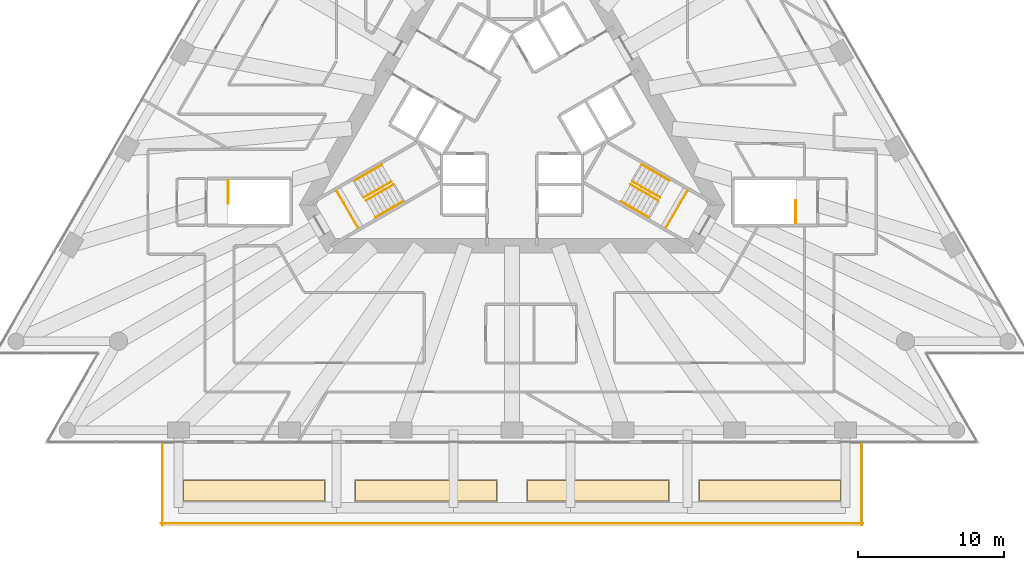
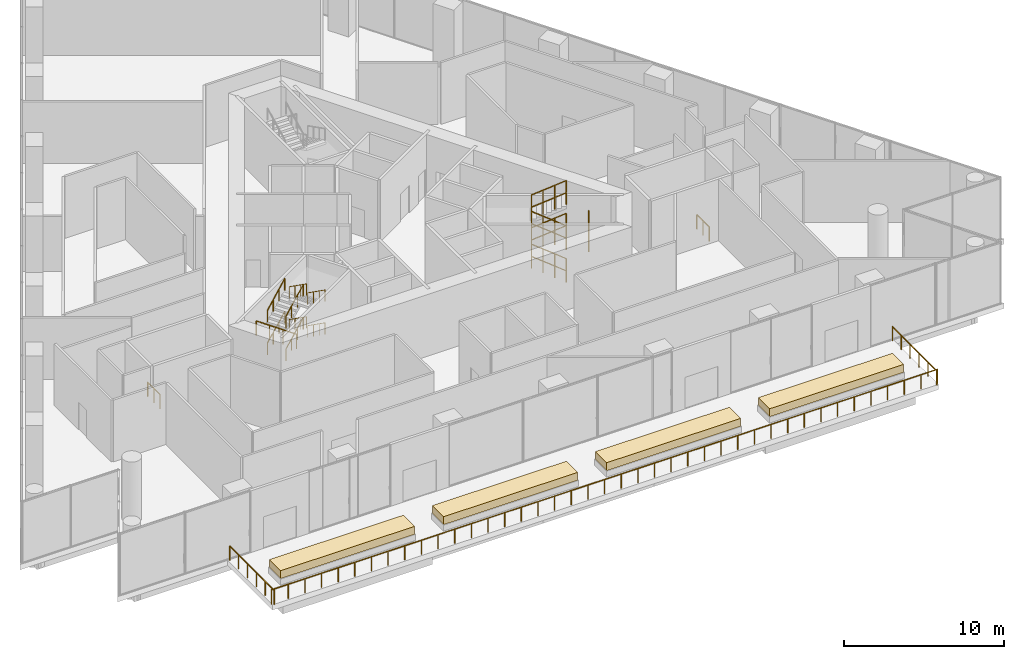
# One storey, part 27 of 28: 23 railings, 4 coverings, 2 elements without a shape of their own.
"""IFC4 building model written with IfcOpenShell, lengths in metres."""

from ifc_helpers import new_model, si_unit, direction, frame, origin, origin_2d, place, context, subcontext, project, spatial, polyline, circle, outline, extrude, material, layer, layer_set, type_object, element, aggregate, save


model = new_model("IFC4")

# Units and contexts
model_context = context("Model", 3, precision=1e-05, world=origin(), true_north=direction((0.0, 1.0)))
body_context = subcontext(model_context, "Body", "Model", "MODEL_VIEW")
ifc_project = project(units=[si_unit("LENGTHUNIT", "METRE"), si_unit("AREAUNIT", "SQUARE_METRE"), si_unit("VOLUMEUNIT", "CUBIC_METRE"), si_unit("PLANEANGLEUNIT", "RADIAN"), si_unit("MASSUNIT", "GRAM", prefix="KILO")], contexts=[model_context])

# Site, building, storey
site_placement = place(None, origin())
site = spatial("IfcSite", under=ifc_project, at=site_placement, CompositionType="ELEMENT")
building_placement = place(site_placement, origin())
building = spatial("IfcBuilding", under=site, at=building_placement, Name="Triada Interchange Tower", CompositionType="ELEMENT")
storey_placement = place(building_placement, frame((0.0, 0.0, 30.300048828125)))
storey = spatial("IfcBuildingStorey", under=building, at=storey_placement, Name="L05", CompositionType="ELEMENT", Elevation=30.300048828125)

# Coverings
ifc_material_1 = material(Name="Planting soil")
ifc_layer = layer(ifc_material_1, 0.60009765625)
ifc_layer_set = layer_set([ifc_layer], Name="Planting bed 600")
covering_type = type_object("IfcCoveringType", Name="Planting bed 600", PredefinedType="FLOORING", material=ifc_layer_set)
covering_1_placement = place(storey_placement, frame((0.0, 0.0, 0.449951171875)))
element("IfcCovering", 1, at=covering_1_placement, inside=storey, type_object=covering_type, Name="Planting bed PLANTER L05 20", PredefinedType="FLOORING", context=body_context, shape_type="SweptSolid", body=[
    extrude(outline(polyline([(-22.449951171875, -26.429931640625), (-12.800048828125, -26.429931640625), (-12.800048828125, -25.030029296875), (-22.449951171875, -25.030029296875), (-22.449951171875, -26.429931640625)])), origin(), (0.0, 0.0, 1.0), 0.60009765625),
])
covering_2_placement = place(storey_placement, frame((0.0, 0.0, 0.449951171875)))
element("IfcCovering", 2, at=covering_2_placement, inside=storey, type_object=covering_type, Name="Planting bed PLANTER L05 21", PredefinedType="FLOORING", context=body_context, shape_type="SweptSolid", body=[
    extrude(outline(polyline([(-10.699951171875, -26.429931640625), (-1.050048828125, -26.429931640625), (-1.050048828125, -25.030029296875), (-10.699951171875, -25.030029296875), (-10.699951171875, -26.429931640625)])), origin(), (0.0, 0.0, 1.0), 0.60009765625),
])
covering_3_placement = place(storey_placement, frame((0.0, 0.0, 0.449951171875)))
element("IfcCovering", 3, at=covering_3_placement, inside=storey, type_object=covering_type, Name="Planting bed PLANTER L05 22", PredefinedType="FLOORING", context=body_context, shape_type="SweptSolid", body=[
    extrude(outline(polyline([(1.050048828125, -26.429931640625), (10.699951171875, -26.429931640625), (10.699951171875, -25.030029296875), (1.050048828125, -25.030029296875), (1.050048828125, -26.429931640625)])), origin(), (0.0, 0.0, 1.0), 0.60009765625),
])
covering_4_placement = place(storey_placement, frame((0.0, 0.0, 0.449951171875)))
element("IfcCovering", 4, at=covering_4_placement, inside=storey, type_object=covering_type, Name="Planting bed PLANTER L05 23", PredefinedType="FLOORING", context=body_context, shape_type="SweptSolid", body=[
    extrude(outline(polyline([(12.800048828125, -26.429931640625), (22.449951171875, -26.429931640625), (22.449951171875, -25.030029296875), (12.800048828125, -25.030029296875), (12.800048828125, -26.429931640625)])), origin(), (0.0, 0.0, 1.0), 0.60009765625),
])

# Stair, railing
ifc_material_2 = material(Name="Concrete C35/45", Category="concrete")
stair_type = type_object("IfcStairType", Name="HALF TURN STAIR 1400", PredefinedType="HALF_TURN_STAIR", material=ifc_material_2)
stair_1_placement = place(storey_placement, origin())
stair_1 = element("IfcStair", 5, at=stair_1_placement, inside=storey, type_object=stair_type, Name="Exit stair S05-2", PredefinedType="HALF_TURN_STAIR")
ifc_material_3 = material(Name="Stainless steel 1.4301", Category="steel")
railing_type_1 = type_object("IfcRailingType", Name="STAIR GUARD 1100", PredefinedType="GUARDRAIL", material=ifc_material_3)
railing_1_placement = place(storey_placement, frame((-11.98291015625, -5.243896484375, 2.5)))
railing_1 = element("IfcRailing", 6, at=railing_1_placement, type_object=railing_type_1, Name="Guard S05-2 1", PredefinedType="GUARDRAIL", context=body_context, shape_type="SweptSolid", body=[
    extrude(circle(Radius=0.02392578125, at=origin_2d()), frame((0.0, 0.0, 1.076171875), z_axis=(0.499877891294, -0.866095891802, 0.0), x_axis=(0.866095891802, 0.499877891294, 0.0)), (0.0, 0.0, 1.0), 2.900634765625),
    extrude(circle(Radius=0.02099609375, at=origin_2d()), origin(), (0.0, 0.0, 1.0), 1.052001953125),
    extrude(circle(Radius=0.02099609375, at=origin_2d()), frame((0.4833984375, -0.83740234375, 0.0)), (0.0, 0.0, 1.0), 1.052001953125),
    extrude(circle(Radius=0.02099609375, at=origin_2d()), frame((0.966552734375, -1.6748046875, 0.0)), (0.0, 0.0, 1.0), 1.052001953125),
    extrude(circle(Radius=0.02099609375, at=origin_2d()), frame((1.449951171875, -2.51220703125, 0.0)), (0.0, 0.0, 1.0), 1.052001953125),
])

stair_2_placement = place(storey_placement, origin())
stair_2 = element("IfcStair", 7, at=stair_2_placement, inside=storey, type_object=stair_type, Name="Exit stair S05-3", PredefinedType="HALF_TURN_STAIR")
railing_2_placement = place(storey_placement, frame((10.532958984375, -7.756103515625, 2.5)))
railing_2 = element("IfcRailing", 8, at=railing_2_placement, type_object=railing_type_1, Name="Guard S05-3 1", PredefinedType="GUARDRAIL", context=body_context, shape_type="SweptSolid", body=[
    extrude(circle(Radius=0.02392578125, at=origin_2d()), frame((0.0, 0.0, 1.076171875), z_axis=(0.499877891294, 0.866095891802, 0.0), x_axis=(-0.866095891802, 0.499877891294, 0.0)), (0.0, 0.0, 1.0), 2.900634765625),
    extrude(circle(Radius=0.02099609375, at=origin_2d()), origin(), (0.0, 0.0, 1.0), 1.052001953125),
    extrude(circle(Radius=0.02099609375, at=origin_2d()), frame((0.4833984375, 0.83740234375, 0.0)), (0.0, 0.0, 1.0), 1.052001953125),
    extrude(circle(Radius=0.02099609375, at=origin_2d()), frame((0.966552734375, 1.6748046875, 0.0)), (0.0, 0.0, 1.0), 1.052001953125),
    extrude(circle(Radius=0.02099609375, at=origin_2d()), frame((1.449951171875, 2.51220703125, 0.0)), (0.0, 0.0, 1.0), 1.052001953125),
])

# Railings
railing_3_placement = place(storey_placement, frame((-19.39990234375, -4.550048828125, 0.0)))
element("IfcRailing", 9, at=railing_3_placement, inside=storey, type_object=railing_type_1, Name="Guard well PX3 L05", PredefinedType="GUARDRAIL", context=body_context, shape_type="SweptSolid", body=[
    extrude(circle(Radius=0.02392578125, at=origin_2d()), frame((0.0, 0.0, 1.076171875), z_axis=(0.0, -1.0, 0.0), x_axis=(1.0, 0.0, 0.0)), (0.0, 0.0, 1.0), 1.550048828125),
    extrude(circle(Radius=0.02099609375, at=origin_2d()), origin(), (0.0, 0.0, 1.0), 1.052001953125),
    extrude(circle(Radius=0.02099609375, at=origin_2d()), frame((0.0, -0.77490234375, 0.0)), (0.0, 0.0, 1.0), 1.052001953125),
    extrude(circle(Radius=0.02099609375, at=origin_2d()), frame((0.0, -1.550048828125, 0.0)), (0.0, 0.0, 1.0), 1.052001953125),
])
railing_4_placement = place(storey_placement, frame((19.39990234375, -7.449951171875, 0.0)))
element("IfcRailing", 10, at=railing_4_placement, inside=storey, type_object=railing_type_1, Name="Guard well PX4 L05", PredefinedType="GUARDRAIL", context=body_context, shape_type="SweptSolid", body=[
    extrude(circle(Radius=0.02392578125, at=origin_2d()), frame((0.0, 0.0, 1.076171875), z_axis=(0.0, 1.0, 0.0), x_axis=(-1.0, 0.0, 0.0)), (0.0, 0.0, 1.0), 1.550048828125),
    extrude(circle(Radius=0.02099609375, at=origin_2d()), origin(), (0.0, 0.0, 1.0), 1.052001953125),
    extrude(circle(Radius=0.02099609375, at=origin_2d()), frame((0.0, 0.77490234375, 0.0)), (0.0, 0.0, 1.0), 1.052001953125),
    extrude(circle(Radius=0.02099609375, at=origin_2d()), frame((0.0, 1.550048828125, 0.0)), (0.0, 0.0, 1.0), 1.052001953125),
])

# Railing
railing_type_2 = type_object("IfcRailingType", Name="STAIR HANDRAIL 900", PredefinedType="HANDRAIL", material=ifc_material_3)
railing_5_placement = place(storey_placement, frame((-10.77099609375, -4.5439453125, 0.15625)))
railing_5 = element("IfcRailing", 11, at=railing_5_placement, type_object=railing_type_2, Name="Handrail S05-2 1W", PredefinedType="HANDRAIL", context=body_context, shape_type="SweptSolid", body=[
    extrude(circle(Radius=0.02392578125, at=origin_2d()), frame((0.0, 0.0, 0.8759765625), z_axis=(0.773289848554, 0.446530676582, 0.450147936788), x_axis=(-0.500060114735, 0.865990693744, 0.0)), (0.0, 0.0, 1.0), 2.4296875),
    extrude(circle(Radius=0.02099609375, at=origin_2d()), origin(), (0.0, 0.0, 1.0), 0.851806640625),
    extrude(circle(Radius=0.02099609375, at=origin_2d()), frame((0.626220703125, 0.361572265625, 0.364501953125)), (0.0, 0.0, 1.0), 0.851806640625),
    extrude(circle(Radius=0.02099609375, at=origin_2d()), frame((1.252685546875, 0.723388671875, 0.729248046875)), (0.0, 0.0, 1.0), 0.851806640625),
    extrude(circle(Radius=0.02099609375, at=origin_2d()), frame((1.87890625, 1.0849609375, 1.09375)), (0.0, 0.0, 1.0), 0.851806640625),
])

railing_6_placement = place(storey_placement, frame((-10.10595703125, -5.696044921875, 0.15625)))
railing_6 = element("IfcRailing", 12, at=railing_6_placement, type_object=railing_type_2, Name="Handrail S05-2 1C", PredefinedType="HANDRAIL", context=body_context, shape_type="SweptSolid", body=[
    extrude(circle(Radius=0.02392578125, at=origin_2d()), frame((0.0, 0.0, 0.8759765625), z_axis=(0.773289848554, 0.446530676582, 0.450147936788), x_axis=(-0.500060114735, 0.865990693744, 0.0)), (0.0, 0.0, 1.0), 2.4296875),
    extrude(circle(Radius=0.02099609375, at=origin_2d()), origin(), (0.0, 0.0, 1.0), 0.851806640625),
    extrude(circle(Radius=0.02099609375, at=origin_2d()), frame((0.626220703125, 0.361572265625, 0.364501953125)), (0.0, 0.0, 1.0), 0.851806640625),
    extrude(circle(Radius=0.02099609375, at=origin_2d()), frame((1.252685546875, 0.723388671875, 0.729248046875)), (0.0, 0.0, 1.0), 0.851806640625),
    extrude(circle(Radius=0.02099609375, at=origin_2d()), frame((1.87890625, 1.0849609375, 1.09375)), (0.0, 0.0, 1.0), 0.851806640625),
])

railing_7_placement = place(storey_placement, frame((-7.44189453125, -5.970947265625, 1.40625)))
railing_7 = element("IfcRailing", 13, at=railing_7_placement, type_object=railing_type_2, Name="Handrail S05-2 2W", PredefinedType="HANDRAIL", context=body_context, shape_type="SweptSolid", body=[
    extrude(circle(Radius=0.02392578125, at=origin_2d()), frame((0.0, 0.0, 0.8759765625), z_axis=(-0.773330238877, -0.446495983055, 0.450112962215), x_axis=(0.500011390128, -0.866018827591, 0.0)), (0.0, 0.0, 1.0), 2.429931640625),
    extrude(circle(Radius=0.02099609375, at=origin_2d()), origin(), (0.0, 0.0, 1.0), 0.851806640625),
    extrude(circle(Radius=0.02099609375, at=origin_2d()), frame((-0.62646484375, -0.361572265625, 0.364501953125)), (0.0, 0.0, 1.0), 0.851806640625),
    extrude(circle(Radius=0.02099609375, at=origin_2d()), frame((-1.252685546875, -0.723388671875, 0.729248046875)), (0.0, 0.0, 1.0), 0.851806640625),
    extrude(circle(Radius=0.02099609375, at=origin_2d()), frame((-1.879150390625, -1.0849609375, 1.09375)), (0.0, 0.0, 1.0), 0.851806640625),
])

railing_8_placement = place(storey_placement, frame((-8.10693359375, -4.819091796875, 1.40625)))
railing_8 = element("IfcRailing", 14, at=railing_8_placement, type_object=railing_type_2, Name="Handrail S05-2 2C", PredefinedType="HANDRAIL", context=body_context, shape_type="SweptSolid", body=[
    extrude(circle(Radius=0.02392578125, at=origin_2d()), frame((0.0, 0.0, 0.8759765625), z_axis=(-0.773330238877, -0.446495983055, 0.450112962215), x_axis=(0.500011390128, -0.866018827591, 0.0)), (0.0, 0.0, 1.0), 2.429931640625),
    extrude(circle(Radius=0.02099609375, at=origin_2d()), origin(), (0.0, 0.0, 1.0), 0.851806640625),
    extrude(circle(Radius=0.02099609375, at=origin_2d()), frame((-0.62646484375, -0.361572265625, 0.364501953125)), (0.0, 0.0, 1.0), 0.851806640625),
    extrude(circle(Radius=0.02099609375, at=origin_2d()), frame((-1.252685546875, -0.723388671875, 0.729248046875)), (0.0, 0.0, 1.0), 0.851806640625),
    extrude(circle(Radius=0.02099609375, at=origin_2d()), frame((-1.879150390625, -1.0849609375, 1.09375)), (0.0, 0.0, 1.0), 0.851806640625),
])

railing_9_placement = place(storey_placement, frame((-10.77099609375, -4.5439453125, 2.65625)))
railing_9 = element("IfcRailing", 15, at=railing_9_placement, type_object=railing_type_2, Name="Handrail S05-2 3W", PredefinedType="HANDRAIL", context=body_context, shape_type="SweptSolid", body=[
    extrude(circle(Radius=0.02392578125, at=origin_2d()), frame((0.0, 0.0, 0.8759765625), z_axis=(0.773289848554, 0.446530676582, 0.450147936788), x_axis=(-0.500060114735, 0.865990693744, 0.0)), (0.0, 0.0, 1.0), 2.4296875),
    extrude(circle(Radius=0.02099609375, at=origin_2d()), origin(), (0.0, 0.0, 1.0), 0.851806640625),
    extrude(circle(Radius=0.02099609375, at=origin_2d()), frame((0.626220703125, 0.361572265625, 0.364501953125)), (0.0, 0.0, 1.0), 0.851806640625),
    extrude(circle(Radius=0.02099609375, at=origin_2d()), frame((1.252685546875, 0.723388671875, 0.729248046875)), (0.0, 0.0, 1.0), 0.851806640625),
    extrude(circle(Radius=0.02099609375, at=origin_2d()), frame((1.87890625, 1.0849609375, 1.09375)), (0.0, 0.0, 1.0), 0.851806640625),
])

railing_10_placement = place(storey_placement, frame((-10.10595703125, -5.696044921875, 2.65625)))
railing_10 = element("IfcRailing", 16, at=railing_10_placement, type_object=railing_type_2, Name="Handrail S05-2 3C", PredefinedType="HANDRAIL", context=body_context, shape_type="SweptSolid", body=[
    extrude(circle(Radius=0.02392578125, at=origin_2d()), frame((0.0, 0.0, 0.8759765625), z_axis=(0.773289848554, 0.446530676582, 0.450147936788), x_axis=(-0.500060114735, 0.865990693744, 0.0)), (0.0, 0.0, 1.0), 2.4296875),
    extrude(circle(Radius=0.02099609375, at=origin_2d()), origin(), (0.0, 0.0, 1.0), 0.851806640625),
    extrude(circle(Radius=0.02099609375, at=origin_2d()), frame((0.626220703125, 0.361572265625, 0.364501953125)), (0.0, 0.0, 1.0), 0.851806640625),
    extrude(circle(Radius=0.02099609375, at=origin_2d()), frame((1.252685546875, 0.723388671875, 0.729248046875)), (0.0, 0.0, 1.0), 0.851806640625),
    extrude(circle(Radius=0.02099609375, at=origin_2d()), frame((1.87890625, 1.0849609375, 1.09375)), (0.0, 0.0, 1.0), 0.851806640625),
])

railing_11_placement = place(storey_placement, frame((-7.44189453125, -5.970947265625, 3.90625)))
railing_11 = element("IfcRailing", 17, at=railing_11_placement, type_object=railing_type_2, Name="Handrail S05-2 4W", PredefinedType="HANDRAIL", context=body_context, shape_type="SweptSolid", body=[
    extrude(circle(Radius=0.02392578125, at=origin_2d()), frame((0.0, 0.0, 0.8759765625), z_axis=(-0.773330238877, -0.446495983055, 0.450112962215), x_axis=(0.500011390128, -0.866018827591, 0.0)), (0.0, 0.0, 1.0), 2.429931640625),
    extrude(circle(Radius=0.02099609375, at=origin_2d()), origin(), (0.0, 0.0, 1.0), 0.851806640625),
    extrude(circle(Radius=0.02099609375, at=origin_2d()), frame((-0.62646484375, -0.361572265625, 0.364501953125)), (0.0, 0.0, 1.0), 0.851806640625),
    extrude(circle(Radius=0.02099609375, at=origin_2d()), frame((-1.252685546875, -0.723388671875, 0.729248046875)), (0.0, 0.0, 1.0), 0.851806640625),
    extrude(circle(Radius=0.02099609375, at=origin_2d()), frame((-1.879150390625, -1.0849609375, 1.09375)), (0.0, 0.0, 1.0), 0.851806640625),
])

railing_12_placement = place(storey_placement, frame((-8.10693359375, -4.819091796875, 3.90625)))
railing_12 = element("IfcRailing", 18, at=railing_12_placement, type_object=railing_type_2, Name="Handrail S05-2 4C", PredefinedType="HANDRAIL", context=body_context, shape_type="SweptSolid", body=[
    extrude(circle(Radius=0.02392578125, at=origin_2d()), frame((0.0, 0.0, 0.8759765625), z_axis=(-0.773330238877, -0.446495983055, 0.450112962215), x_axis=(0.500011390128, -0.866018827591, 0.0)), (0.0, 0.0, 1.0), 2.429931640625),
    extrude(circle(Radius=0.02099609375, at=origin_2d()), origin(), (0.0, 0.0, 1.0), 0.851806640625),
    extrude(circle(Radius=0.02099609375, at=origin_2d()), frame((-0.62646484375, -0.361572265625, 0.364501953125)), (0.0, 0.0, 1.0), 0.851806640625),
    extrude(circle(Radius=0.02099609375, at=origin_2d()), frame((-1.252685546875, -0.723388671875, 0.729248046875)), (0.0, 0.0, 1.0), 0.851806640625),
    extrude(circle(Radius=0.02099609375, at=origin_2d()), frame((-1.879150390625, -1.0849609375, 1.09375)), (0.0, 0.0, 1.0), 0.851806640625),
])

aggregate(stair_1, [railing_5, railing_6, railing_7, railing_8, railing_9, railing_10, railing_11, railing_12, railing_1])

railing_13_placement = place(storey_placement, frame((9.321044921875, -7.055908203125, 0.15625)))
railing_13 = element("IfcRailing", 19, at=railing_13_placement, type_object=railing_type_2, Name="Handrail S05-3 1W", PredefinedType="HANDRAIL", context=body_context, shape_type="SweptSolid", body=[
    extrude(circle(Radius=0.02392578125, at=origin_2d()), frame((0.0, 0.0, 0.8759765625), z_axis=(-0.773330238877, 0.446495983055, 0.450112962215), x_axis=(-0.500011390128, -0.866018827591, 0.0)), (0.0, 0.0, 1.0), 2.429931640625),
    extrude(circle(Radius=0.02099609375, at=origin_2d()), origin(), (0.0, 0.0, 1.0), 0.851806640625),
    extrude(circle(Radius=0.02099609375, at=origin_2d()), frame((-0.62646484375, 0.361572265625, 0.364501953125)), (0.0, 0.0, 1.0), 0.851806640625),
    extrude(circle(Radius=0.02099609375, at=origin_2d()), frame((-1.252685546875, 0.723388671875, 0.729248046875)), (0.0, 0.0, 1.0), 0.851806640625),
    extrude(circle(Radius=0.02099609375, at=origin_2d()), frame((-1.879150390625, 1.0849609375, 1.09375)), (0.0, 0.0, 1.0), 0.851806640625),
])

railing_14_placement = place(storey_placement, frame((9.986083984375, -5.904052734375, 0.15625)))
railing_14 = element("IfcRailing", 20, at=railing_14_placement, type_object=railing_type_2, Name="Handrail S05-3 1C", PredefinedType="HANDRAIL", context=body_context, shape_type="SweptSolid", body=[
    extrude(circle(Radius=0.02392578125, at=origin_2d()), frame((0.0, 0.0, 0.8759765625), z_axis=(-0.773330238877, 0.446495983055, 0.450112962215), x_axis=(-0.500011390128, -0.866018827591, 0.0)), (0.0, 0.0, 1.0), 2.429931640625),
    extrude(circle(Radius=0.02099609375, at=origin_2d()), origin(), (0.0, 0.0, 1.0), 0.851806640625),
    extrude(circle(Radius=0.02099609375, at=origin_2d()), frame((-0.62646484375, 0.361572265625, 0.364501953125)), (0.0, 0.0, 1.0), 0.851806640625),
    extrude(circle(Radius=0.02099609375, at=origin_2d()), frame((-1.252685546875, 0.723388671875, 0.729248046875)), (0.0, 0.0, 1.0), 0.851806640625),
    extrude(circle(Radius=0.02099609375, at=origin_2d()), frame((-1.879150390625, 1.0849609375, 1.09375)), (0.0, 0.0, 1.0), 0.851806640625),
])

railing_15_placement = place(storey_placement, frame((8.89208984375, -3.458984375, 1.40625)))
railing_15 = element("IfcRailing", 21, at=railing_15_placement, type_object=railing_type_2, Name="Handrail S05-3 2W", PredefinedType="HANDRAIL", context=body_context, shape_type="SweptSolid", body=[
    extrude(circle(Radius=0.02392578125, at=origin_2d()), frame((0.0, 0.0, 0.8759765625), z_axis=(0.773289848554, -0.446530676582, 0.450147936788), x_axis=(0.500060114735, 0.865990693744, 0.0)), (0.0, 0.0, 1.0), 2.4296875),
    extrude(circle(Radius=0.02099609375, at=origin_2d()), origin(), (0.0, 0.0, 1.0), 0.851806640625),
    extrude(circle(Radius=0.02099609375, at=origin_2d()), frame((0.626220703125, -0.361572265625, 0.364501953125)), (0.0, 0.0, 1.0), 0.851806640625),
    extrude(circle(Radius=0.02099609375, at=origin_2d()), frame((1.252685546875, -0.723388671875, 0.729248046875)), (0.0, 0.0, 1.0), 0.851806640625),
    extrude(circle(Radius=0.02099609375, at=origin_2d()), frame((1.87890625, -1.0849609375, 1.09375)), (0.0, 0.0, 1.0), 0.851806640625),
])

railing_16_placement = place(storey_placement, frame((8.22705078125, -4.611083984375, 1.40625)))
railing_16 = element("IfcRailing", 22, at=railing_16_placement, type_object=railing_type_2, Name="Handrail S05-3 2C", PredefinedType="HANDRAIL", context=body_context, shape_type="SweptSolid", body=[
    extrude(circle(Radius=0.02392578125, at=origin_2d()), frame((0.0, 0.0, 0.8759765625), z_axis=(0.773289848554, -0.446530676582, 0.450147936788), x_axis=(0.500060114735, 0.865990693744, 0.0)), (0.0, 0.0, 1.0), 2.4296875),
    extrude(circle(Radius=0.02099609375, at=origin_2d()), origin(), (0.0, 0.0, 1.0), 0.851806640625),
    extrude(circle(Radius=0.02099609375, at=origin_2d()), frame((0.626220703125, -0.361572265625, 0.364501953125)), (0.0, 0.0, 1.0), 0.851806640625),
    extrude(circle(Radius=0.02099609375, at=origin_2d()), frame((1.252685546875, -0.723388671875, 0.729248046875)), (0.0, 0.0, 1.0), 0.851806640625),
    extrude(circle(Radius=0.02099609375, at=origin_2d()), frame((1.87890625, -1.0849609375, 1.09375)), (0.0, 0.0, 1.0), 0.851806640625),
])

railing_17_placement = place(storey_placement, frame((9.321044921875, -7.055908203125, 2.65625)))
railing_17 = element("IfcRailing", 23, at=railing_17_placement, type_object=railing_type_2, Name="Handrail S05-3 3W", PredefinedType="HANDRAIL", context=body_context, shape_type="SweptSolid", body=[
    extrude(circle(Radius=0.02392578125, at=origin_2d()), frame((0.0, 0.0, 0.8759765625), z_axis=(-0.773330238877, 0.446495983055, 0.450112962215), x_axis=(-0.500011390128, -0.866018827591, 0.0)), (0.0, 0.0, 1.0), 2.429931640625),
    extrude(circle(Radius=0.02099609375, at=origin_2d()), origin(), (0.0, 0.0, 1.0), 0.851806640625),
    extrude(circle(Radius=0.02099609375, at=origin_2d()), frame((-0.62646484375, 0.361572265625, 0.364501953125)), (0.0, 0.0, 1.0), 0.851806640625),
    extrude(circle(Radius=0.02099609375, at=origin_2d()), frame((-1.252685546875, 0.723388671875, 0.729248046875)), (0.0, 0.0, 1.0), 0.851806640625),
    extrude(circle(Radius=0.02099609375, at=origin_2d()), frame((-1.879150390625, 1.0849609375, 1.09375)), (0.0, 0.0, 1.0), 0.851806640625),
])

railing_18_placement = place(storey_placement, frame((9.986083984375, -5.904052734375, 2.65625)))
railing_18 = element("IfcRailing", 24, at=railing_18_placement, type_object=railing_type_2, Name="Handrail S05-3 3C", PredefinedType="HANDRAIL", context=body_context, shape_type="SweptSolid", body=[
    extrude(circle(Radius=0.02392578125, at=origin_2d()), frame((0.0, 0.0, 0.8759765625), z_axis=(-0.773330238877, 0.446495983055, 0.450112962215), x_axis=(-0.500011390128, -0.866018827591, 0.0)), (0.0, 0.0, 1.0), 2.429931640625),
    extrude(circle(Radius=0.02099609375, at=origin_2d()), origin(), (0.0, 0.0, 1.0), 0.851806640625),
    extrude(circle(Radius=0.02099609375, at=origin_2d()), frame((-0.62646484375, 0.361572265625, 0.364501953125)), (0.0, 0.0, 1.0), 0.851806640625),
    extrude(circle(Radius=0.02099609375, at=origin_2d()), frame((-1.252685546875, 0.723388671875, 0.729248046875)), (0.0, 0.0, 1.0), 0.851806640625),
    extrude(circle(Radius=0.02099609375, at=origin_2d()), frame((-1.879150390625, 1.0849609375, 1.09375)), (0.0, 0.0, 1.0), 0.851806640625),
])

railing_19_placement = place(storey_placement, frame((8.89208984375, -3.458984375, 3.90625)))
railing_19 = element("IfcRailing", 25, at=railing_19_placement, type_object=railing_type_2, Name="Handrail S05-3 4W", PredefinedType="HANDRAIL", context=body_context, shape_type="SweptSolid", body=[
    extrude(circle(Radius=0.02392578125, at=origin_2d()), frame((0.0, 0.0, 0.8759765625), z_axis=(0.773289848554, -0.446530676582, 0.450147936788), x_axis=(0.500060114735, 0.865990693744, 0.0)), (0.0, 0.0, 1.0), 2.4296875),
    extrude(circle(Radius=0.02099609375, at=origin_2d()), origin(), (0.0, 0.0, 1.0), 0.851806640625),
    extrude(circle(Radius=0.02099609375, at=origin_2d()), frame((0.626220703125, -0.361572265625, 0.364501953125)), (0.0, 0.0, 1.0), 0.851806640625),
    extrude(circle(Radius=0.02099609375, at=origin_2d()), frame((1.252685546875, -0.723388671875, 0.729248046875)), (0.0, 0.0, 1.0), 0.851806640625),
    extrude(circle(Radius=0.02099609375, at=origin_2d()), frame((1.87890625, -1.0849609375, 1.09375)), (0.0, 0.0, 1.0), 0.851806640625),
])

railing_20_placement = place(storey_placement, frame((8.22705078125, -4.611083984375, 3.90625)))
railing_20 = element("IfcRailing", 26, at=railing_20_placement, type_object=railing_type_2, Name="Handrail S05-3 4C", PredefinedType="HANDRAIL", context=body_context, shape_type="SweptSolid", body=[
    extrude(circle(Radius=0.02392578125, at=origin_2d()), frame((0.0, 0.0, 0.8759765625), z_axis=(0.773289848554, -0.446530676582, 0.450147936788), x_axis=(0.500060114735, 0.865990693744, 0.0)), (0.0, 0.0, 1.0), 2.4296875),
    extrude(circle(Radius=0.02099609375, at=origin_2d()), origin(), (0.0, 0.0, 1.0), 0.851806640625),
    extrude(circle(Radius=0.02099609375, at=origin_2d()), frame((0.626220703125, -0.361572265625, 0.364501953125)), (0.0, 0.0, 1.0), 0.851806640625),
    extrude(circle(Radius=0.02099609375, at=origin_2d()), frame((1.252685546875, -0.723388671875, 0.729248046875)), (0.0, 0.0, 1.0), 0.851806640625),
    extrude(circle(Radius=0.02099609375, at=origin_2d()), frame((1.87890625, -1.0849609375, 1.09375)), (0.0, 0.0, 1.0), 0.851806640625),
])

aggregate(stair_2, [railing_13, railing_14, railing_15, railing_16, railing_17, railing_18, railing_19, railing_20, railing_2])

# Railings
railing_type_3 = type_object("IfcRailingType", Name="Terrace guard 1100", PredefinedType="GUARDRAIL", material=ifc_material_3)
railing_21_placement = place(storey_placement, frame((-24.0, -27.97998046875, 0.0)))
element("IfcRailing", 27, at=railing_21_placement, inside=storey, type_object=railing_type_3, Name="Guard L05 terrace 25", PredefinedType="GUARDRAIL", context=body_context, shape_type="SweptSolid", body=[
    extrude(circle(Radius=0.02392578125, at=origin_2d()), frame((0.0, 0.0, 1.076171875), z_axis=(1.0, 0.0, 0.0), x_axis=(0.0, 1.0, 0.0)), (0.0, 0.0, 1.0), 48.0),
    extrude(circle(Radius=0.02099609375, at=origin_2d()), origin(), (0.0, 0.0, 1.0), 1.052001953125),
    extrude(circle(Radius=0.02099609375, at=origin_2d()), frame((1.199951171875, 0.0, 0.0)), (0.0, 0.0, 1.0), 1.052001953125),
    extrude(circle(Radius=0.02099609375, at=origin_2d()), frame((2.39990234375, 0.0, 0.0)), (0.0, 0.0, 1.0), 1.052001953125),
    extrude(circle(Radius=0.02099609375, at=origin_2d()), frame((3.60009765625, 0.0, 0.0)), (0.0, 0.0, 1.0), 1.052001953125),
    extrude(circle(Radius=0.02099609375, at=origin_2d()), frame((4.800048828125, 0.0, 0.0)), (0.0, 0.0, 1.0), 1.052001953125),
    extrude(circle(Radius=0.02099609375, at=origin_2d()), frame((6.0, 0.0, 0.0)), (0.0, 0.0, 1.0), 1.052001953125),
    extrude(circle(Radius=0.02099609375, at=origin_2d()), frame((7.199951171875, 0.0, 0.0)), (0.0, 0.0, 1.0), 1.052001953125),
    extrude(circle(Radius=0.02099609375, at=origin_2d()), frame((8.39990234375, 0.0, 0.0)), (0.0, 0.0, 1.0), 1.052001953125),
    extrude(circle(Radius=0.02099609375, at=origin_2d()), frame((9.60009765625, 0.0, 0.0)), (0.0, 0.0, 1.0), 1.052001953125),
    extrude(circle(Radius=0.02099609375, at=origin_2d()), frame((10.800048828125, 0.0, 0.0)), (0.0, 0.0, 1.0), 1.052001953125),
    extrude(circle(Radius=0.02099609375, at=origin_2d()), frame((12.0, 0.0, 0.0)), (0.0, 0.0, 1.0), 1.052001953125),
    extrude(circle(Radius=0.02099609375, at=origin_2d()), frame((13.199951171875, 0.0, 0.0)), (0.0, 0.0, 1.0), 1.052001953125),
    extrude(circle(Radius=0.02099609375, at=origin_2d()), frame((14.39990234375, 0.0, 0.0)), (0.0, 0.0, 1.0), 1.052001953125),
    extrude(circle(Radius=0.02099609375, at=origin_2d()), frame((15.60009765625, 0.0, 0.0)), (0.0, 0.0, 1.0), 1.052001953125),
    extrude(circle(Radius=0.02099609375, at=origin_2d()), frame((16.800048828125, 0.0, 0.0)), (0.0, 0.0, 1.0), 1.052001953125),
    extrude(circle(Radius=0.02099609375, at=origin_2d()), frame((18.0, 0.0, 0.0)), (0.0, 0.0, 1.0), 1.052001953125),
    extrude(circle(Radius=0.02099609375, at=origin_2d()), frame((19.199951171875, 0.0, 0.0)), (0.0, 0.0, 1.0), 1.052001953125),
    extrude(circle(Radius=0.02099609375, at=origin_2d()), frame((20.39990234375, 0.0, 0.0)), (0.0, 0.0, 1.0), 1.052001953125),
    extrude(circle(Radius=0.02099609375, at=origin_2d()), frame((21.60009765625, 0.0, 0.0)), (0.0, 0.0, 1.0), 1.052001953125),
    extrude(circle(Radius=0.02099609375, at=origin_2d()), frame((22.800048828125, 0.0, 0.0)), (0.0, 0.0, 1.0), 1.052001953125),
    extrude(circle(Radius=0.02099609375, at=origin_2d()), frame((24.0, 0.0, 0.0)), (0.0, 0.0, 1.0), 1.052001953125),
    extrude(circle(Radius=0.02099609375, at=origin_2d()), frame((25.199951171875, 0.0, 0.0)), (0.0, 0.0, 1.0), 1.052001953125),
    extrude(circle(Radius=0.02099609375, at=origin_2d()), frame((26.39990234375, 0.0, 0.0)), (0.0, 0.0, 1.0), 1.052001953125),
    extrude(circle(Radius=0.02099609375, at=origin_2d()), frame((27.60009765625, 0.0, 0.0)), (0.0, 0.0, 1.0), 1.052001953125),
    extrude(circle(Radius=0.02099609375, at=origin_2d()), frame((28.800048828125, 0.0, 0.0)), (0.0, 0.0, 1.0), 1.052001953125),
    extrude(circle(Radius=0.02099609375, at=origin_2d()), frame((30.0, 0.0, 0.0)), (0.0, 0.0, 1.0), 1.052001953125),
    extrude(circle(Radius=0.02099609375, at=origin_2d()), frame((31.199951171875, 0.0, 0.0)), (0.0, 0.0, 1.0), 1.052001953125),
    extrude(circle(Radius=0.02099609375, at=origin_2d()), frame((32.39990234375, 0.0, 0.0)), (0.0, 0.0, 1.0), 1.052001953125),
    extrude(circle(Radius=0.02099609375, at=origin_2d()), frame((33.60009765625, 0.0, 0.0)), (0.0, 0.0, 1.0), 1.052001953125),
    extrude(circle(Radius=0.02099609375, at=origin_2d()), frame((34.800048828125, 0.0, 0.0)), (0.0, 0.0, 1.0), 1.052001953125),
    extrude(circle(Radius=0.02099609375, at=origin_2d()), frame((36.0, 0.0, 0.0)), (0.0, 0.0, 1.0), 1.052001953125),
    extrude(circle(Radius=0.02099609375, at=origin_2d()), frame((37.199951171875, 0.0, 0.0)), (0.0, 0.0, 1.0), 1.052001953125),
    extrude(circle(Radius=0.02099609375, at=origin_2d()), frame((38.39990234375, 0.0, 0.0)), (0.0, 0.0, 1.0), 1.052001953125),
    extrude(circle(Radius=0.02099609375, at=origin_2d()), frame((39.60009765625, 0.0, 0.0)), (0.0, 0.0, 1.0), 1.052001953125),
    extrude(circle(Radius=0.02099609375, at=origin_2d()), frame((40.800048828125, 0.0, 0.0)), (0.0, 0.0, 1.0), 1.052001953125),
    extrude(circle(Radius=0.02099609375, at=origin_2d()), frame((42.0, 0.0, 0.0)), (0.0, 0.0, 1.0), 1.052001953125),
    extrude(circle(Radius=0.02099609375, at=origin_2d()), frame((43.199951171875, 0.0, 0.0)), (0.0, 0.0, 1.0), 1.052001953125),
    extrude(circle(Radius=0.02099609375, at=origin_2d()), frame((44.39990234375, 0.0, 0.0)), (0.0, 0.0, 1.0), 1.052001953125),
    extrude(circle(Radius=0.02099609375, at=origin_2d()), frame((45.60009765625, 0.0, 0.0)), (0.0, 0.0, 1.0), 1.052001953125),
    extrude(circle(Radius=0.02099609375, at=origin_2d()), frame((46.800048828125, 0.0, 0.0)), (0.0, 0.0, 1.0), 1.052001953125),
    extrude(circle(Radius=0.02099609375, at=origin_2d()), frame((48.0, 0.0, 0.0)), (0.0, 0.0, 1.0), 1.052001953125),
])
railing_22_placement = place(storey_placement, frame((23.8798828125, -28.10009765625, 0.0)))
element("IfcRailing", 28, at=railing_22_placement, inside=storey, type_object=railing_type_3, Name="Guard L05 terrace 26", PredefinedType="GUARDRAIL", context=body_context, shape_type="SweptSolid", body=[
    extrude(circle(Radius=0.02392578125, at=origin_2d()), frame((0.0, 0.0, 1.076171875), z_axis=(0.0, 1.0, 0.0), x_axis=(-1.0, 0.0, 0.0)), (0.0, 0.0, 1.0), 5.550048828125),
    extrude(circle(Radius=0.02099609375, at=origin_2d()), origin(), (0.0, 0.0, 1.0), 1.052001953125),
    extrude(circle(Radius=0.02099609375, at=origin_2d()), frame((0.0, 1.110107421875, 0.0)), (0.0, 0.0, 1.0), 1.052001953125),
    extrude(circle(Radius=0.02099609375, at=origin_2d()), frame((0.0, 2.219970703125, 0.0)), (0.0, 0.0, 1.0), 1.052001953125),
    extrude(circle(Radius=0.02099609375, at=origin_2d()), frame((0.0, 3.330078125, 0.0)), (0.0, 0.0, 1.0), 1.052001953125),
    extrude(circle(Radius=0.02099609375, at=origin_2d()), frame((0.0, 4.43994140625, 0.0)), (0.0, 0.0, 1.0), 1.052001953125),
    extrude(circle(Radius=0.02099609375, at=origin_2d()), frame((0.0, 5.550048828125, 0.0)), (0.0, 0.0, 1.0), 1.052001953125),
])
railing_23_placement = place(storey_placement, frame((-23.8798828125, -22.550048828125, 0.0)))
element("IfcRailing", 29, at=railing_23_placement, inside=storey, type_object=railing_type_3, Name="Guard L05 terrace 27", PredefinedType="GUARDRAIL", context=body_context, shape_type="SweptSolid", body=[
    extrude(circle(Radius=0.02392578125, at=origin_2d()), frame((0.0, 0.0, 1.076171875), z_axis=(0.0, -1.0, 0.0), x_axis=(1.0, 0.0, 0.0)), (0.0, 0.0, 1.0), 5.550048828125),
    extrude(circle(Radius=0.02099609375, at=origin_2d()), origin(), (0.0, 0.0, 1.0), 1.052001953125),
    extrude(circle(Radius=0.02099609375, at=origin_2d()), frame((0.0, -1.110107421875, 0.0)), (0.0, 0.0, 1.0), 1.052001953125),
    extrude(circle(Radius=0.02099609375, at=origin_2d()), frame((0.0, -2.219970703125, 0.0)), (0.0, 0.0, 1.0), 1.052001953125),
    extrude(circle(Radius=0.02099609375, at=origin_2d()), frame((0.0, -3.330078125, 0.0)), (0.0, 0.0, 1.0), 1.052001953125),
    extrude(circle(Radius=0.02099609375, at=origin_2d()), frame((0.0, -4.43994140625, 0.0)), (0.0, 0.0, 1.0), 1.052001953125),
    extrude(circle(Radius=0.02099609375, at=origin_2d()), frame((0.0, -5.550048828125, 0.0)), (0.0, 0.0, 1.0), 1.052001953125),
])

save(model, "model.ifc")
